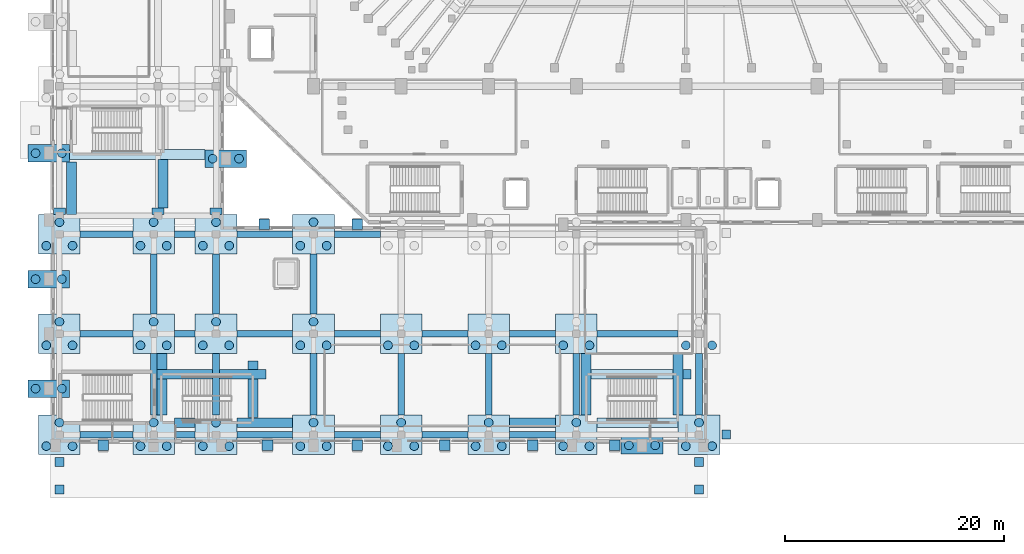
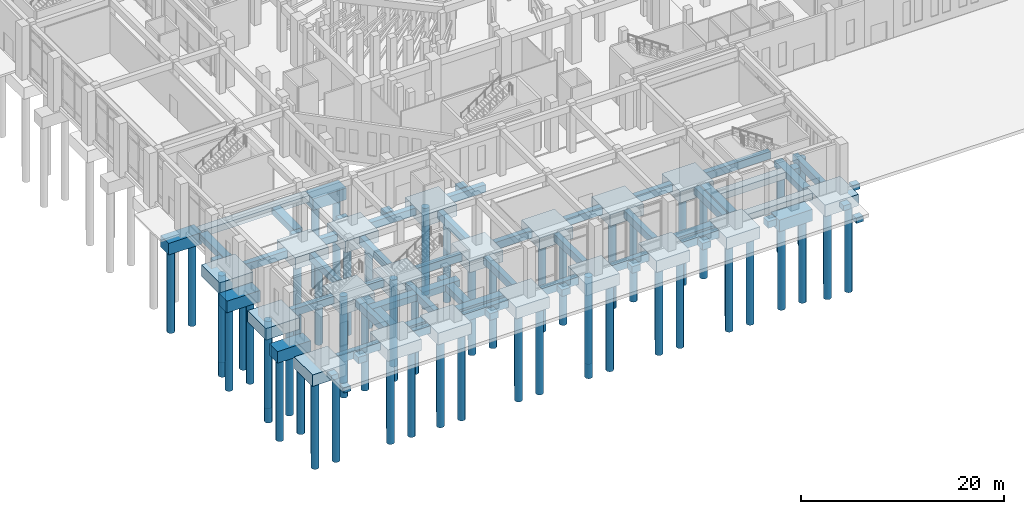
# One storey, part 1 of 143: 84 footings, 66 piles.
"""IFC4 building model written with IfcOpenShell, lengths in metres."""

from ifc_helpers import new_model, si_unit, derived_unit, direction, frame, origin, origin_2d, place, context, subcontext, project, spatial, rectangle, circle, extrude, material, layer, layer_set, material_profile, profile_set, type_object, element, save


model = new_model("IFC4")

# Units and contexts
model_context = context("Model", 3, precision=1e-05, world=origin(), true_north=direction((0.0, 1.0)))
body_context = subcontext(model_context, "Body", "Model", "MODEL_VIEW")
ifc_project = project(units=[si_unit("LENGTHUNIT", "METRE"), si_unit("AREAUNIT", "SQUARE_METRE"), si_unit("VOLUMEUNIT", "CUBIC_METRE"), si_unit("PLANEANGLEUNIT", "RADIAN"), si_unit("MASSUNIT", "GRAM", prefix="KILO"), derived_unit("THERMALTRANSMITTANCEUNIT", [(si_unit("MASSUNIT", "GRAM", prefix="KILO"), 1), (si_unit("TIMEUNIT", "SECOND"), -3), (si_unit("THERMODYNAMICTEMPERATUREUNIT", "KELVIN"), -1)])], contexts=[model_context])

# Site, building, storey
site_placement = place(None, origin())
site = spatial("IfcSite", under=ifc_project, at=site_placement, CompositionType="ELEMENT")
building_placement = place(site_placement, origin())
building = spatial("IfcBuilding", under=site, at=building_placement, Name="Valcora Ridge Arena", CompositionType="ELEMENT")
storey_placement = place(building_placement, origin())
storey = spatial("IfcBuildingStorey", under=building, at=storey_placement, Name="L00", CompositionType="ELEMENT", Elevation=0.0)

# Footings
ifc_material_1 = material(Name="Concrete C40/50", Category="concrete")
ifc_layer_1 = layer(ifc_material_1, 1.39990234375, Name="Concrete C40/50")
ifc_layer_set_1 = layer_set([ifc_layer_1], Name="Concrete C40/50")
footing_type_1 = type_object("IfcFootingType", Name="TY-FOOTING-PC-2P800", PredefinedType="PILE_CAP", material=ifc_layer_set_1)
for number, where, z_axis, x_axis, name in (
    (1, (54.0, -0.179931640625, -1.849853515625), (0.0, 0.0, 1.0), (1.0, 0.0, 0.0), "PC-2P800 FND-PC-0215"),
    (2, (16.0, 26.0, -1.849853515625), (0.0, 0.0, 1.0), (1.0, 0.0, 0.0), "PC-2P800 FND-PC-0216"),
    (3, (-0.179931640625, 5.0, -1.849853515625), (0.0, 0.0, 1.0), (1.0, 0.0, 0.0), "PC-2P800 FND-PC-0249"),
    (4, (-0.179931640625, 15.0, -1.849853515625), (0.0, 0.0, 1.0), (1.0, 0.0, 0.0), "PC-2P800 FND-PC-0250"),
    (5, (-0.179931640625, 26.5, -1.849853515625), (0.0, 0.0, 1.0), (1.0, 0.0, 0.0), "PC-2P800 FND-PC-0251"),
):
    element("IfcFooting", number, at=place(storey_placement, frame(where, z_axis=z_axis, x_axis=x_axis)), inside=storey, type_object=footing_type_1, Name=name, PredefinedType="PILE_CAP", context=body_context, shape_type="SweptSolid", body=[
        extrude(rectangle(XDim=3.800048828125, YDim=1.60009765625, at=origin_2d()), origin(), (0.0, 0.0, 1.0), 1.39990234375),
    ])
ifc_layer_2 = layer(ifc_material_1, 1.39990234375, Name="Concrete C40/50")
ifc_layer_set_2 = layer_set([ifc_layer_2], Name="Concrete C40/50")
footing_type_2 = type_object("IfcFootingType", Name="TY-FOOTING-PC-3P800", PredefinedType="PILE_CAP", material=ifc_layer_set_2)
for number, where, z_axis, x_axis, name in (
    (6, (0.800048828125, 0.800048828125, -1.849853515625), (0.0, 0.0, 1.0), (1.0, 0.0, 0.0), "PC-3P800 FND-PC-0168"),
    (7, (0.800048828125, 10.0, -1.849853515625), (0.0, 0.0, 1.0), (1.0, 0.0, 0.0), "PC-3P800 FND-PC-0169"),
    (8, (0.800048828125, 19.10009765625, -1.849853515625), (0.0, 0.0, 1.0), (1.0, 0.0, 0.0), "PC-3P800 FND-PC-0170"),
    (9, (9.39990234375, 0.800048828125, -1.849853515625), (0.0, 0.0, 1.0), (1.0, 0.0, 0.0), "PC-3P800 FND-PC-0171"),
    (10, (9.39990234375, 10.0, -1.849853515625), (0.0, 0.0, 1.0), (1.0, 0.0, 0.0), "PC-3P800 FND-PC-0172"),
    (11, (9.39990234375, 19.10009765625, -1.849853515625), (0.0, 0.0, 1.0), (1.0, 0.0, 0.0), "PC-3P800 FND-PC-0173"),
    (12, (15.10009765625, 0.800048828125, -1.849853515625), (0.0, 0.0, 1.0), (1.0, 0.0, 0.0), "PC-3P800 FND-PC-0174"),
    (13, (15.10009765625, 10.0, -1.849853515625), (0.0, 0.0, 1.0), (1.0, 0.0, 0.0), "PC-3P800 FND-PC-0175"),
    (14, (15.10009765625, 19.10009765625, -1.849853515625), (0.0, 0.0, 1.0), (1.0, 0.0, 0.0), "PC-3P800 FND-PC-0176"),
    (15, (24.0, 0.800048828125, -1.849853515625), (0.0, 0.0, 1.0), (1.0, 0.0, 0.0), "PC-3P800 FND-PC-0177"),
    (16, (24.0, 10.0, -1.849853515625), (0.0, 0.0, 1.0), (1.0, 0.0, 0.0), "PC-3P800 FND-PC-0178"),
    (17, (24.0, 19.10009765625, -1.849853515625), (0.0, 0.0, 1.0), (1.0, 0.0, 0.0), "PC-3P800 FND-PC-0179"),
    (18, (32.0, 0.800048828125, -1.849853515625), (0.0, 0.0, 1.0), (1.0, 0.0, 0.0), "PC-3P800 FND-PC-0180"),
    (19, (32.0, 10.0, -1.849853515625), (0.0, 0.0, 1.0), (1.0, 0.0, 0.0), "PC-3P800 FND-PC-0181"),
    (20, (40.0, 0.800048828125, -1.849853515625), (0.0, 0.0, 1.0), (1.0, 0.0, 0.0), "PC-3P800 FND-PC-0183"),
    (21, (40.0, 10.0, -1.849853515625), (0.0, 0.0, 1.0), (1.0, 0.0, 0.0), "PC-3P800 FND-PC-0184"),
    (22, (48.0, 0.800048828125, -1.849853515625), (0.0, 0.0, 1.0), (1.0, 0.0, 0.0), "PC-3P800 FND-PC-0186"),
    (23, (48.0, 10.0, -1.849853515625), (0.0, 0.0, 1.0), (1.0, 0.0, 0.0), "PC-3P800 FND-PC-0187"),
    (24, (59.199951171875, 0.800048828125, -1.849853515625), (0.0, 0.0, 1.0), (1.0, 0.0, 0.0), "PC-3P800 FND-PC-0189"),
):
    element("IfcFooting", number, at=place(storey_placement, frame(where, z_axis=z_axis, x_axis=x_axis)), inside=storey, type_object=footing_type_2, Name=name, PredefinedType="PILE_CAP", context=body_context, shape_type="SweptSolid", body=[
        extrude(rectangle(XDim=3.800048828125, YDim=3.60009765625, at=origin_2d()), origin(), (0.0, 0.0, 1.0), 1.39990234375),
    ])
ifc_layer_3 = layer(ifc_material_1, 0.800048828125, Name="Concrete C40/50")
ifc_layer_set_3 = layer_set([ifc_layer_3], Name="Concrete C40/50")
footing_type_3 = type_object("IfcFootingType", Name="TY-FOOTING-PF-096", PredefinedType="PAD_FOOTING", material=ifc_layer_set_3)
for number, where, z_axis, x_axis, name in (
    (25, (19.5, 20.0, -1.25), (0.0, 0.0, 1.0), (1.0, 0.0, 0.0), "PF-096 FND-SF-0001"),
    (26, (28.0, 20.0, -1.25), (0.0, 0.0, 1.0), (1.0, 0.0, 0.0), "PF-096 FND-SF-0002"),
    (27, (4.800048828125, -0.179931640625, -1.25), (0.0, 0.0, 1.0), (1.0, 0.0, 0.0), "PF-096 FND-SF-0004"),
    (28, (19.800048828125, -0.179931640625, -1.25), (0.0, 0.0, 1.0), (1.0, 0.0, 0.0), "PF-096 FND-SF-0005"),
    (29, (28.0, -0.179931640625, -1.25), (0.0, 0.0, 1.0), (1.0, 0.0, 0.0), "PF-096 FND-SF-0006"),
    (30, (36.0, -0.179931640625, -1.25), (0.0, 0.0, 1.0), (1.0, 0.0, 0.0), "PF-096 FND-SF-0007"),
    (31, (44.0, -0.179931640625, -1.25), (0.0, 0.0, 1.0), (1.0, 0.0, 0.0), "PF-096 FND-SF-0008"),
    (32, (51.5, -0.179931640625, -1.25), (0.0, 0.0, 1.0), (1.0, 0.0, 0.0), "PF-096 FND-SF-0009"),
):
    element("IfcFooting", number, at=place(storey_placement, frame(where, z_axis=z_axis, x_axis=x_axis)), inside=storey, type_object=footing_type_3, Name=name, PredefinedType="PAD_FOOTING", context=body_context, shape_type="SweptSolid", body=[
        extrude(rectangle(XDim=0.9599609375, YDim=0.9599609375, at=origin_2d()), origin(), (0.0, 0.0, 1.0), 0.800048828125),
    ])
ifc_material_2 = material(Name="Fire-resisting reinforced concrete enclosure C40/50 200 mm", Category="concrete")
ifc_layer_4 = layer(ifc_material_2, 0.800048828125, Name="Fire-resisting reinforced concrete enclosure C40/50 200 mm")
ifc_layer_set_4 = layer_set([ifc_layer_4], Name="Fire-resisting reinforced concrete enclosure C40/50 200 mm")
footing_type_4 = type_object("IfcFootingType", Name="TY-FOOTING-SF-ES-900", PredefinedType="STRIP_FOOTING", material=ifc_layer_set_4)
footing_1_placement = place(storey_placement, frame((12.25, 1.889892578125, -1.25), z_axis=(0.0, 0.0, 1.0), x_axis=(1.0, 0.0, 0.0)))
element("IfcFooting", 33, at=footing_1_placement, inside=storey, type_object=footing_type_4, Name="SF-ES-900 FND-SF-0050", PredefinedType="STRIP_FOOTING", context=body_context, shape_type="SweptSolid", body=[
    extrude(rectangle(XDim=1.89794921875, YDim=0.89990234375, at=origin_2d()), origin(), (0.0, 0.0, 1.0), 0.800048828125),
])
for number, where, z_axis, x_axis, name in (
    (34, (19.550048828125, 1.889892578125, -1.25), (0.0, 0.0, 1.0), (1.0, 0.0, 0.0), "SF-ES-900 FND-SF-0051"),
    (35, (12.25, 6.31005859375, -1.25), (0.0, 0.0, 1.0), (1.0, 0.0, 0.0), "SF-ES-900 FND-SF-0052"),
):
    element("IfcFooting", number, at=place(storey_placement, frame(where, z_axis=z_axis, x_axis=x_axis)), inside=storey, type_object=footing_type_4, Name=name, PredefinedType="STRIP_FOOTING", context=body_context, shape_type="SweptSolid", body=[
        extrude(rectangle(XDim=5.097900390625, YDim=0.89990234375, at=origin_2d()), origin(), (0.0, 0.0, 1.0), 0.800048828125),
    ])
footing_2_placement = place(storey_placement, frame((17.541015625, 6.31005859375, -1.25), z_axis=(0.0, 0.0, 1.0), x_axis=(1.0, 0.0, 0.0)))
element("IfcFooting", 36, at=footing_2_placement, inside=storey, type_object=footing_type_4, Name="SF-ES-900 FND-SF-0053", PredefinedType="STRIP_FOOTING", context=body_context, shape_type="SweptSolid", body=[
    extrude(rectangle(XDim=4.278076171875, YDim=0.89990234375, at=origin_2d()), origin(), (0.0, 0.0, 1.0), 0.800048828125),
])
footing_3_placement = place(storey_placement, frame((44.0, 1.889892578125, -1.25), z_axis=(0.0, 0.0, 1.0), x_axis=(1.0, 0.0, 0.0)))
element("IfcFooting", 37, at=footing_3_placement, inside=storey, type_object=footing_type_4, Name="SF-ES-900 FND-SF-0060", PredefinedType="STRIP_FOOTING", context=body_context, shape_type="SweptSolid", body=[
    extrude(rectangle(XDim=4.197998046875, YDim=0.89990234375, at=origin_2d()), origin(), (0.0, 0.0, 1.0), 0.800048828125),
])
footing_4_placement = place(storey_placement, frame((53.60009765625, 1.889892578125, -1.25), z_axis=(0.0, 0.0, 1.0), x_axis=(1.0, 0.0, 0.0)))
element("IfcFooting", 38, at=footing_4_placement, inside=storey, type_object=footing_type_4, Name="SF-ES-900 FND-SF-0061", PredefinedType="STRIP_FOOTING", context=body_context, shape_type="SweptSolid", body=[
    extrude(rectangle(XDim=7.39794921875, YDim=0.89990234375, at=origin_2d()), origin(), (0.0, 0.0, 1.0), 0.800048828125),
])
footing_5_placement = place(storey_placement, frame((53.080078125, 6.31005859375, -1.25), z_axis=(0.0, 0.0, 1.0), x_axis=(1.0, 0.0, 0.0)))
element("IfcFooting", 39, at=footing_5_placement, inside=storey, type_object=footing_type_4, Name="SF-ES-900 FND-SF-0062", PredefinedType="STRIP_FOOTING", context=body_context, shape_type="SweptSolid", body=[
    extrude(rectangle(XDim=7.47802734375, YDim=0.89990234375, at=origin_2d()), origin(), (0.0, 0.0, 1.0), 0.800048828125),
])
footing_6_placement = place(storey_placement, frame((58.10107421875, 6.31005859375, -1.25), z_axis=(0.0, 0.0, 1.0), x_axis=(1.0, 0.0, 0.0)))
element("IfcFooting", 40, at=footing_6_placement, inside=storey, type_object=footing_type_4, Name="SF-ES-900 FND-SF-0063", PredefinedType="STRIP_FOOTING", context=body_context, shape_type="SweptSolid", body=[
    extrude(rectangle(XDim=0.758056640625, YDim=0.89990234375, at=origin_2d()), origin(), (0.0, 0.0, 1.0), 0.800048828125),
])
footing_7_placement = place(storey_placement, frame((7.909912109375, 26.389892578125, -1.25), z_axis=(0.0, 0.0, 1.0), x_axis=(1.0, 0.0, 0.0)))
element("IfcFooting", 41, at=footing_7_placement, inside=storey, type_object=footing_type_4, Name="SF-ES-900 FND-SF-0064", PredefinedType="STRIP_FOOTING", context=body_context, shape_type="SweptSolid", body=[
    extrude(rectangle(XDim=12.3779296875, YDim=0.89990234375, at=origin_2d()), origin(), (0.0, 0.0, 1.0), 0.800048828125),
])
ifc_layer_5 = layer(ifc_material_2, 0.800048828125, Name="Fire-resisting reinforced concrete enclosure C40/50 200 mm")
ifc_layer_set_5 = layer_set([ifc_layer_5], Name="Fire-resisting reinforced concrete enclosure C40/50 200 mm")
footing_type_5 = type_object("IfcFootingType", Name="TY-FOOTING-SF-ESW-900", PredefinedType="STRIP_FOOTING", material=ifc_layer_set_5)
footing_8_placement = place(storey_placement, frame((10.152099609375, 4.22998046875, -1.25), z_axis=(0.0, 0.0, 1.0), x_axis=(1.0, 0.0, 0.0)))
element("IfcFooting", 42, at=footing_8_placement, inside=storey, type_object=footing_type_5, Name="SF-ESW-900 FND-SF-0054", PredefinedType="STRIP_FOOTING", context=body_context, shape_type="SweptSolid", body=[
    extrude(rectangle(XDim=0.89990234375, YDim=3.258056640625, at=origin_2d()), origin(), (0.0, 0.0, 1.0), 0.800048828125),
])
footing_9_placement = place(storey_placement, frame((10.152099609375, 7.47998046875, -1.25), z_axis=(0.0, 0.0, 1.0), x_axis=(1.0, 0.0, 0.0)))
element("IfcFooting", 43, at=footing_9_placement, inside=storey, type_object=footing_type_5, Name="SF-ESW-900 FND-SF-0055", PredefinedType="STRIP_FOOTING", context=body_context, shape_type="SweptSolid", body=[
    extrude(rectangle(XDim=0.89990234375, YDim=1.43798828125, at=origin_2d()), origin(), (0.0, 0.0, 1.0), 0.800048828125),
])
footing_10_placement = place(storey_placement, frame((18.469970703125, 4.10009765625, -1.25), z_axis=(0.0, 0.0, 1.0), x_axis=(1.0, 0.0, 0.0)))
element("IfcFooting", 44, at=footing_10_placement, inside=storey, type_object=footing_type_5, Name="SF-ESW-900 FND-SF-0056", PredefinedType="STRIP_FOOTING", context=body_context, shape_type="SweptSolid", body=[
    extrude(rectangle(XDim=0.89990234375, YDim=3.51806640625, at=origin_2d()), origin(), (0.0, 0.0, 1.0), 0.800048828125),
])
footing_11_placement = place(storey_placement, frame((18.469970703125, 7.14111328125, -1.25), z_axis=(0.0, 0.0, 1.0), x_axis=(1.0, 0.0, 0.0)))
element("IfcFooting", 45, at=footing_11_placement, inside=storey, type_object=footing_type_5, Name="SF-ESW-900 FND-SF-0057", PredefinedType="STRIP_FOOTING", context=body_context, shape_type="SweptSolid", body=[
    extrude(rectangle(XDim=0.89990234375, YDim=0.758056640625, at=origin_2d()), origin(), (0.0, 0.0, 1.0), 0.800048828125),
])
for number, where, z_axis, x_axis, name in (
    (46, (48.889892578125, 5.39990234375, -1.25), (0.0, 0.0, 1.0), (1.0, 0.0, 0.0), "SF-ESW-900 FND-SF-0058"),
    (47, (57.27001953125, 5.39990234375, -1.25), (0.0, 0.0, 1.0), (1.0, 0.0, 0.0), "SF-ESW-900 FND-SF-0059"),
):
    element("IfcFooting", number, at=place(storey_placement, frame(where, z_axis=z_axis, x_axis=x_axis)), inside=storey, type_object=footing_type_5, Name=name, PredefinedType="STRIP_FOOTING", context=body_context, shape_type="SweptSolid", body=[
        extrude(rectangle(XDim=0.89990234375, YDim=5.597900390625, at=origin_2d()), origin(), (0.0, 0.0, 1.0), 0.800048828125),
    ])
footing_12_placement = place(storey_placement, frame((1.889892578125, 23.300048828125, -1.25), z_axis=(0.0, 0.0, 1.0), x_axis=(1.0, 0.0, 0.0)))
element("IfcFooting", 48, at=footing_12_placement, inside=storey, type_object=footing_type_5, Name="SF-ESW-900 FND-SF-0067", PredefinedType="STRIP_FOOTING", context=body_context, shape_type="SweptSolid", body=[
    extrude(rectangle(XDim=0.89990234375, YDim=4.798095703125, at=origin_2d()), origin(), (0.0, 0.0, 1.0), 0.800048828125),
])
footing_13_placement = place(storey_placement, frame((10.27001953125, 23.719970703125, -1.25), z_axis=(0.0, 0.0, 1.0), x_axis=(1.0, 0.0, 0.0)))
element("IfcFooting", 49, at=footing_13_placement, inside=storey, type_object=footing_type_5, Name="SF-ESW-900 FND-SF-0070", PredefinedType="STRIP_FOOTING", context=body_context, shape_type="SweptSolid", body=[
    extrude(rectangle(XDim=0.89990234375, YDim=4.43798828125, at=origin_2d()), origin(), (0.0, 0.0, 1.0), 0.800048828125),
])
ifc_layer_6 = layer(ifc_material_1, 0.60009765625, Name="Concrete C40/50")
ifc_layer_set_6 = layer_set([ifc_layer_6], Name="Concrete C40/50")
footing_type_6 = type_object("IfcFootingType", Name="TY-FOOTING-SF-PVG-800", PredefinedType="STRIP_FOOTING", material=ifc_layer_set_6)
for number, where, z_axis, x_axis, name in (
    (50, (61.699951171875, 0.800048828125, -1.0), (0.0, 0.0, 1.0), (1.0, 0.0, 0.0), "SF-PVG-800 FND-PV-0005"),
    (51, (0.800048828125, -4.199951171875, -1.0), (0.0, 0.0, 1.0), (1.0, 0.0, 0.0), "SF-PVG-800 FND-PV-0016"),
    (52, (59.199951171875, -4.199951171875, -1.0), (0.0, 0.0, 1.0), (1.0, 0.0, 0.0), "SF-PVG-800 FND-PV-0017"),
    (53, (59.199951171875, -1.699951171875, -1.0), (0.0, 0.0, 1.0), (1.0, 0.0, 0.0), "SF-PVG-800 FND-PV-0018"),
    (54, (0.800048828125, -1.699951171875, -1.0), (0.0, 0.0, 1.0), (1.0, 0.0, 0.0), "SF-PVG-800 FND-PV-0019"),
):
    element("IfcFooting", number, at=place(storey_placement, frame(where, z_axis=z_axis, x_axis=x_axis)), inside=storey, type_object=footing_type_6, Name=name, PredefinedType="STRIP_FOOTING", context=body_context, shape_type="SweptSolid", body=[
        extrude(rectangle(XDim=0.800048828125, YDim=0.800048828125, at=origin_2d()), origin(), (0.0, 0.0, 1.0), 0.60009765625),
    ])
ifc_layer_7 = layer(ifc_material_1, 0.800048828125, Name="Concrete C40/50")
ifc_layer_set_7 = layer_set([ifc_layer_7], Name="Concrete C40/50")
footing_type_7 = type_object("IfcFootingType", Name="TY-FOOTING-SF-STRAP-900", PredefinedType="STRIP_FOOTING", material=ifc_layer_set_7)
for number, where, z_axis, x_axis, name in (
    (55, (0.800048828125, 21.200927734375, -1.25), (0.0, 0.0, 1.0), (1.0, 0.0, 0.0), "SF-STRAP-900 FND-SF-0037"),
    (56, (9.800048828125, 21.200927734375, -1.25), (0.0, 0.0, 1.0), (1.0, 0.0, 0.0), "SF-STRAP-900 FND-SF-0038"),
    (57, (15.10009765625, 21.200927734375, -1.25), (0.0, 0.0, 1.0), (1.0, 0.0, 0.0), "SF-STRAP-900 FND-SF-0039"),
):
    element("IfcFooting", number, at=place(storey_placement, frame(where, z_axis=z_axis, x_axis=x_axis)), inside=storey, type_object=footing_type_7, Name=name, PredefinedType="STRIP_FOOTING", context=body_context, shape_type="SweptSolid", body=[
        extrude(rectangle(XDim=1.10009765625, YDim=0.597900390625, at=origin_2d()), origin(), (0.0, 0.0, 1.0), 0.800048828125),
    ])
ifc_layer_8 = layer(ifc_material_1, 0.89990234375, Name="Concrete C40/50")
ifc_layer_set_8 = layer_set([ifc_layer_8], Name="Concrete C40/50")
footing_type_8 = type_object("IfcFootingType", Name="TY-FOOTING-TBX-019", PredefinedType="FOOTING_BEAM", material=ifc_layer_set_8)
for number, where, z_axis, x_axis, name in (
    (58, (12.25, 0.800048828125, -1.349853515625), (0.0, 0.0, 1.0), (1.0, 0.0, 0.0), "TBX-019 FND-TB-0203"),
    (59, (12.25, 10.0, -1.349853515625), (0.0, 0.0, 1.0), (1.0, 0.0, 0.0), "TBX-019 FND-TB-0212"),
    (60, (12.25, 19.10009765625, -1.349853515625), (0.0, 0.0, 1.0), (1.0, 0.0, 0.0), "TBX-019 FND-TB-0222"),
):
    element("IfcFooting", number, at=place(storey_placement, frame(where, z_axis=z_axis, x_axis=x_axis)), inside=storey, type_object=footing_type_8, Name=name, PredefinedType="FOOTING_BEAM", context=body_context, shape_type="SweptSolid", body=[
        extrude(rectangle(XDim=1.89794921875, YDim=0.60009765625, at=origin_2d()), origin(), (0.0, 0.0, 1.0), 0.89990234375),
    ])
ifc_layer_9 = layer(ifc_material_1, 0.89990234375, Name="Concrete C40/50")
ifc_layer_set_9 = layer_set([ifc_layer_9], Name="Concrete C40/50")
footing_type_9 = type_object("IfcFootingType", Name="TY-FOOTING-TBX-042", PredefinedType="FOOTING_BEAM", material=ifc_layer_set_9)
for number, where, z_axis, x_axis, name in (
    (61, (28.0, 0.800048828125, -1.349853515625), (0.0, 0.0, 1.0), (1.0, 0.0, 0.0), "TBX-042 FND-TB-0205"),
    (62, (36.0, 0.800048828125, -1.349853515625), (0.0, 0.0, 1.0), (1.0, 0.0, 0.0), "TBX-042 FND-TB-0206"),
    (63, (44.0, 0.800048828125, -1.349853515625), (0.0, 0.0, 1.0), (1.0, 0.0, 0.0), "TBX-042 FND-TB-0207"),
    (64, (28.0, 10.0, -1.349853515625), (0.0, 0.0, 1.0), (1.0, 0.0, 0.0), "TBX-042 FND-TB-0214"),
    (65, (36.0, 10.0, -1.349853515625), (0.0, 0.0, 1.0), (1.0, 0.0, 0.0), "TBX-042 FND-TB-0215"),
    (66, (44.0, 10.0, -1.349853515625), (0.0, 0.0, 1.0), (1.0, 0.0, 0.0), "TBX-042 FND-TB-0216"),
    (67, (28.0, 19.10009765625, -1.349853515625), (0.0, 0.0, 1.0), (1.0, 0.0, 0.0), "TBX-042 FND-TB-0224"),
):
    element("IfcFooting", number, at=place(storey_placement, frame(where, z_axis=z_axis, x_axis=x_axis)), inside=storey, type_object=footing_type_9, Name=name, PredefinedType="FOOTING_BEAM", context=body_context, shape_type="SweptSolid", body=[
        extrude(rectangle(XDim=4.197998046875, YDim=0.60009765625, at=origin_2d()), origin(), (0.0, 0.0, 1.0), 0.89990234375),
    ])
ifc_layer_10 = layer(ifc_material_1, 0.89990234375, Name="Concrete C40/50")
ifc_layer_set_10 = layer_set([ifc_layer_10], Name="Concrete C40/50")
footing_type_10 = type_object("IfcFootingType", Name="TY-FOOTING-TBX-048", PredefinedType="FOOTING_BEAM", material=ifc_layer_set_10)
for number, where, z_axis, x_axis, name in (
    (68, (5.10009765625, 0.800048828125, -1.349853515625), (0.0, 0.0, 1.0), (1.0, 0.0, 0.0), "TBX-048 FND-TB-0202"),
    (69, (5.10009765625, 10.0, -1.349853515625), (0.0, 0.0, 1.0), (1.0, 0.0, 0.0), "TBX-048 FND-TB-0211"),
    (70, (5.10009765625, 19.10009765625, -1.349853515625), (0.0, 0.0, 1.0), (1.0, 0.0, 0.0), "TBX-048 FND-TB-0221"),
):
    element("IfcFooting", number, at=place(storey_placement, frame(where, z_axis=z_axis, x_axis=x_axis)), inside=storey, type_object=footing_type_10, Name=name, PredefinedType="FOOTING_BEAM", context=body_context, shape_type="SweptSolid", body=[
        extrude(rectangle(XDim=4.798095703125, YDim=0.60009765625, at=origin_2d()), origin(), (0.0, 0.0, 1.0), 0.89990234375),
    ])
ifc_layer_11 = layer(ifc_material_1, 0.89990234375, Name="Concrete C40/50")
ifc_layer_set_11 = layer_set([ifc_layer_11], Name="Concrete C40/50")
footing_type_11 = type_object("IfcFootingType", Name="TY-FOOTING-TBX-051", PredefinedType="FOOTING_BEAM", material=ifc_layer_set_11)
for number, where, z_axis, x_axis, name in (
    (71, (19.550048828125, 0.800048828125, -1.349853515625), (0.0, 0.0, 1.0), (1.0, 0.0, 0.0), "TBX-051 FND-TB-0204"),
    (72, (19.550048828125, 10.0, -1.349853515625), (0.0, 0.0, 1.0), (1.0, 0.0, 0.0), "TBX-051 FND-TB-0213"),
    (73, (19.550048828125, 19.10009765625, -1.349853515625), (0.0, 0.0, 1.0), (1.0, 0.0, 0.0), "TBX-051 FND-TB-0223"),
):
    element("IfcFooting", number, at=place(storey_placement, frame(where, z_axis=z_axis, x_axis=x_axis)), inside=storey, type_object=footing_type_11, Name=name, PredefinedType="FOOTING_BEAM", context=body_context, shape_type="SweptSolid", body=[
        extrude(rectangle(XDim=5.097900390625, YDim=0.60009765625, at=origin_2d()), origin(), (0.0, 0.0, 1.0), 0.89990234375),
    ])
ifc_layer_12 = layer(ifc_material_1, 0.89990234375, Name="Concrete C40/50")
ifc_layer_set_12 = layer_set([ifc_layer_12], Name="Concrete C40/50")
footing_type_12 = type_object("IfcFootingType", Name="TY-FOOTING-TBX-074", PredefinedType="FOOTING_BEAM", material=ifc_layer_set_12)
footing_14_placement = place(storey_placement, frame((53.60009765625, 10.0, -1.349853515625), z_axis=(0.0, 0.0, 1.0), x_axis=(1.0, 0.0, 0.0)))
element("IfcFooting", 74, at=footing_14_placement, inside=storey, type_object=footing_type_12, Name="TBX-074 FND-TB-0217", PredefinedType="FOOTING_BEAM", context=body_context, shape_type="SweptSolid", body=[
    extrude(rectangle(XDim=7.39794921875, YDim=0.60009765625, at=origin_2d()), origin(), (0.0, 0.0, 1.0), 0.89990234375),
])
ifc_layer_13 = layer(ifc_material_1, 0.89990234375, Name="Concrete C40/50")
ifc_layer_set_13 = layer_set([ifc_layer_13], Name="Concrete C40/50")
footing_type_13 = type_object("IfcFootingType", Name="TY-FOOTING-TBY-055", PredefinedType="FOOTING_BEAM", material=ifc_layer_set_13)
for number, where, z_axis, x_axis, name in (
    (75, (9.39990234375, 14.550048828125, -1.349853515625), (0.0, 0.0, 1.0), (1.0, 0.0, 0.0), "TBY-055 FND-TB-0275"),
    (76, (15.10009765625, 14.550048828125, -1.349853515625), (0.0, 0.0, 1.0), (1.0, 0.0, 0.0), "TBY-055 FND-TB-0277"),
    (77, (24.0, 14.550048828125, -1.349853515625), (0.0, 0.0, 1.0), (1.0, 0.0, 0.0), "TBY-055 FND-TB-0283"),
):
    element("IfcFooting", number, at=place(storey_placement, frame(where, z_axis=z_axis, x_axis=x_axis)), inside=storey, type_object=footing_type_13, Name=name, PredefinedType="FOOTING_BEAM", context=body_context, shape_type="SweptSolid", body=[
        extrude(rectangle(XDim=0.60009765625, YDim=5.498046875, at=origin_2d()), origin(), (0.0, 0.0, 1.0), 0.89990234375),
    ])
ifc_layer_14 = layer(ifc_material_1, 0.89990234375, Name="Concrete C40/50")
ifc_layer_set_14 = layer_set([ifc_layer_14], Name="Concrete C40/50")
footing_type_14 = type_object("IfcFootingType", Name="TY-FOOTING-TBY-056", PredefinedType="FOOTING_BEAM", material=ifc_layer_set_14)
for number, where, z_axis, x_axis, name in (
    (78, (9.39990234375, 5.39990234375, -1.349853515625), (0.0, 0.0, 1.0), (1.0, 0.0, 0.0), "TBY-056 FND-TB-0274"),
    (79, (15.10009765625, 5.39990234375, -1.349853515625), (0.0, 0.0, 1.0), (1.0, 0.0, 0.0), "TBY-056 FND-TB-0276"),
    (80, (24.0, 5.39990234375, -1.349853515625), (0.0, 0.0, 1.0), (1.0, 0.0, 0.0), "TBY-056 FND-TB-0282"),
    (81, (32.0, 5.39990234375, -1.349853515625), (0.0, 0.0, 1.0), (1.0, 0.0, 0.0), "TBY-056 FND-TB-0284"),
    (82, (40.0, 5.39990234375, -1.349853515625), (0.0, 0.0, 1.0), (1.0, 0.0, 0.0), "TBY-056 FND-TB-0286"),
    (83, (48.0, 5.39990234375, -1.349853515625), (0.0, 0.0, 1.0), (1.0, 0.0, 0.0), "TBY-056 FND-TB-0288"),
    (84, (59.199951171875, 5.39990234375, -1.349853515625), (0.0, 0.0, 1.0), (1.0, 0.0, 0.0), "TBY-056 FND-TB-0290"),
):
    element("IfcFooting", number, at=place(storey_placement, frame(where, z_axis=z_axis, x_axis=x_axis)), inside=storey, type_object=footing_type_14, Name=name, PredefinedType="FOOTING_BEAM", context=body_context, shape_type="SweptSolid", body=[
        extrude(rectangle(XDim=0.60009765625, YDim=5.597900390625, at=origin_2d()), origin(), (0.0, 0.0, 1.0), 0.89990234375),
    ])

# Piles
ifc_material_3 = material(Name="Concrete C35/45", Category="concrete")
ifc_material_profile_1 = material_profile(ifc_material_3, circle(Radius=0.39990234375, at=origin_2d()), Name="BORED PILE D800")
ifc_profile_set_1 = profile_set([ifc_material_profile_1], Name="Concrete C35/45")
pile_type_1 = type_object("IfcPileType", Name="TY-PILE-P-800A", PredefinedType="BORED", material=ifc_profile_set_1)
for number, where, z_axis, x_axis, name in (
    (85, (-0.39990234375, -0.25, -1.75), (0.0, 0.0, -1.0), (1.0, 0.0, 0.0), "P-800A FND-PL-P-800A-0106"),
    (86, (2.0, -0.25, -1.75), (0.0, 0.0, -1.0), (1.0, 0.0, 0.0), "P-800A FND-PL-P-800A-0107"),
    (87, (0.800048828125, 1.89990234375, -1.75), (0.0, 0.0, -1.0), (1.0, 0.0, 0.0), "P-800A FND-PL-P-800A-0108"),
    (88, (-0.39990234375, 8.949951171875, -1.75), (0.0, 0.0, -1.0), (1.0, 0.0, 0.0), "P-800A FND-PL-P-800A-0109"),
    (89, (2.0, 8.949951171875, -1.75), (0.0, 0.0, -1.0), (1.0, 0.0, 0.0), "P-800A FND-PL-P-800A-0110"),
    (90, (0.800048828125, 11.10009765625, -1.75), (0.0, 0.0, -1.0), (1.0, 0.0, 0.0), "P-800A FND-PL-P-800A-0111"),
    (91, (-0.39990234375, 18.050048828125, -1.75), (0.0, 0.0, -1.0), (1.0, 0.0, 0.0), "P-800A FND-PL-P-800A-0112"),
    (92, (2.0, 18.050048828125, -1.75), (0.0, 0.0, -1.0), (1.0, 0.0, 0.0), "P-800A FND-PL-P-800A-0113"),
    (93, (0.800048828125, 20.199951171875, -1.75), (0.0, 0.0, -1.0), (1.0, 0.0, 0.0), "P-800A FND-PL-P-800A-0114"),
    (94, (8.199951171875, -0.25, -1.75), (0.0, 0.0, -1.0), (1.0, 0.0, 0.0), "P-800A FND-PL-P-800A-0115"),
    (95, (10.60009765625, -0.25, -1.75), (0.0, 0.0, -1.0), (1.0, 0.0, 0.0), "P-800A FND-PL-P-800A-0116"),
    (96, (9.39990234375, 1.89990234375, -1.75), (0.0, 0.0, -1.0), (1.0, 0.0, 0.0), "P-800A FND-PL-P-800A-0117"),
    (97, (8.199951171875, 8.949951171875, -1.75), (0.0, 0.0, -1.0), (1.0, 0.0, 0.0), "P-800A FND-PL-P-800A-0118"),
    (98, (10.60009765625, 8.949951171875, -1.75), (0.0, 0.0, -1.0), (1.0, 0.0, 0.0), "P-800A FND-PL-P-800A-0119"),
    (99, (9.39990234375, 11.10009765625, -1.75), (0.0, 0.0, -1.0), (1.0, 0.0, 0.0), "P-800A FND-PL-P-800A-0120"),
    (100, (8.199951171875, 18.050048828125, -1.75), (0.0, 0.0, -1.0), (1.0, 0.0, 0.0), "P-800A FND-PL-P-800A-0121"),
    (101, (10.60009765625, 18.050048828125, -1.75), (0.0, 0.0, -1.0), (1.0, 0.0, 0.0), "P-800A FND-PL-P-800A-0122"),
    (102, (9.39990234375, 20.199951171875, -1.75), (0.0, 0.0, -1.0), (1.0, 0.0, 0.0), "P-800A FND-PL-P-800A-0123"),
    (103, (13.89990234375, -0.25, -1.75), (0.0, 0.0, -1.0), (1.0, 0.0, 0.0), "P-800A FND-PL-P-800A-0124"),
    (104, (16.300048828125, -0.25, -1.75), (0.0, 0.0, -1.0), (1.0, 0.0, 0.0), "P-800A FND-PL-P-800A-0125"),
    (105, (15.10009765625, 1.89990234375, -1.75), (0.0, 0.0, -1.0), (1.0, 0.0, 0.0), "P-800A FND-PL-P-800A-0126"),
    (106, (13.89990234375, 8.949951171875, -1.75), (0.0, 0.0, -1.0), (1.0, 0.0, 0.0), "P-800A FND-PL-P-800A-0127"),
    (107, (16.300048828125, 8.949951171875, -1.75), (0.0, 0.0, -1.0), (1.0, 0.0, 0.0), "P-800A FND-PL-P-800A-0128"),
    (108, (15.10009765625, 11.10009765625, -1.75), (0.0, 0.0, -1.0), (1.0, 0.0, 0.0), "P-800A FND-PL-P-800A-0129"),
    (109, (13.89990234375, 18.050048828125, -1.75), (0.0, 0.0, -1.0), (1.0, 0.0, 0.0), "P-800A FND-PL-P-800A-0130"),
    (110, (16.300048828125, 18.050048828125, -1.75), (0.0, 0.0, -1.0), (1.0, 0.0, 0.0), "P-800A FND-PL-P-800A-0131"),
    (111, (15.10009765625, 20.199951171875, -1.75), (0.0, 0.0, -1.0), (1.0, 0.0, 0.0), "P-800A FND-PL-P-800A-0132"),
    (112, (22.800048828125, -0.25, -1.75), (0.0, 0.0, -1.0), (1.0, 0.0, 0.0), "P-800A FND-PL-P-800A-0133"),
    (113, (25.199951171875, -0.25, -1.75), (0.0, 0.0, -1.0), (1.0, 0.0, 0.0), "P-800A FND-PL-P-800A-0134"),
    (114, (24.0, 1.89990234375, -1.75), (0.0, 0.0, -1.0), (1.0, 0.0, 0.0), "P-800A FND-PL-P-800A-0135"),
    (115, (22.800048828125, 8.949951171875, -1.75), (0.0, 0.0, -1.0), (1.0, 0.0, 0.0), "P-800A FND-PL-P-800A-0136"),
    (116, (25.199951171875, 8.949951171875, -1.75), (0.0, 0.0, -1.0), (1.0, 0.0, 0.0), "P-800A FND-PL-P-800A-0137"),
    (117, (24.0, 11.10009765625, -1.75), (0.0, 0.0, -1.0), (1.0, 0.0, 0.0), "P-800A FND-PL-P-800A-0138"),
    (118, (22.800048828125, 18.050048828125, -1.75), (0.0, 0.0, -1.0), (1.0, 0.0, 0.0), "P-800A FND-PL-P-800A-0139"),
    (119, (25.199951171875, 18.050048828125, -1.75), (0.0, 0.0, -1.0), (1.0, 0.0, 0.0), "P-800A FND-PL-P-800A-0140"),
    (120, (24.0, 20.199951171875, -1.75), (0.0, 0.0, -1.0), (1.0, 0.0, 0.0), "P-800A FND-PL-P-800A-0141"),
    (121, (30.800048828125, -0.25, -1.75), (0.0, 0.0, -1.0), (1.0, 0.0, 0.0), "P-800A FND-PL-P-800A-0142"),
    (122, (33.199951171875, -0.25, -1.75), (0.0, 0.0, -1.0), (1.0, 0.0, 0.0), "P-800A FND-PL-P-800A-0143"),
    (123, (32.0, 1.89990234375, -1.75), (0.0, 0.0, -1.0), (1.0, 0.0, 0.0), "P-800A FND-PL-P-800A-0144"),
    (124, (30.800048828125, 8.949951171875, -1.75), (0.0, 0.0, -1.0), (1.0, 0.0, 0.0), "P-800A FND-PL-P-800A-0145"),
    (125, (33.199951171875, 8.949951171875, -1.75), (0.0, 0.0, -1.0), (1.0, 0.0, 0.0), "P-800A FND-PL-P-800A-0146"),
    (126, (38.800048828125, -0.25, -1.75), (0.0, 0.0, -1.0), (1.0, 0.0, 0.0), "P-800A FND-PL-P-800A-0151"),
    (127, (41.199951171875, -0.25, -1.75), (0.0, 0.0, -1.0), (1.0, 0.0, 0.0), "P-800A FND-PL-P-800A-0152"),
    (128, (40.0, 1.89990234375, -1.75), (0.0, 0.0, -1.0), (1.0, 0.0, 0.0), "P-800A FND-PL-P-800A-0153"),
    (129, (38.800048828125, 8.949951171875, -1.75), (0.0, 0.0, -1.0), (1.0, 0.0, 0.0), "P-800A FND-PL-P-800A-0154"),
    (130, (41.199951171875, 8.949951171875, -1.75), (0.0, 0.0, -1.0), (1.0, 0.0, 0.0), "P-800A FND-PL-P-800A-0155"),
    (131, (46.800048828125, -0.25, -1.75), (0.0, 0.0, -1.0), (1.0, 0.0, 0.0), "P-800A FND-PL-P-800A-0160"),
    (132, (49.199951171875, -0.25, -1.75), (0.0, 0.0, -1.0), (1.0, 0.0, 0.0), "P-800A FND-PL-P-800A-0161"),
    (133, (48.0, 1.89990234375, -1.75), (0.0, 0.0, -1.0), (1.0, 0.0, 0.0), "P-800A FND-PL-P-800A-0162"),
    (134, (46.800048828125, 8.949951171875, -1.75), (0.0, 0.0, -1.0), (1.0, 0.0, 0.0), "P-800A FND-PL-P-800A-0163"),
    (135, (49.199951171875, 8.949951171875, -1.75), (0.0, 0.0, -1.0), (1.0, 0.0, 0.0), "P-800A FND-PL-P-800A-0164"),
    (136, (58.0, -0.25, -1.75), (0.0, 0.0, -1.0), (1.0, 0.0, 0.0), "P-800A FND-PL-P-800A-0169"),
    (137, (60.39990234375, -0.25, -1.75), (0.0, 0.0, -1.0), (1.0, 0.0, 0.0), "P-800A FND-PL-P-800A-0170"),
    (138, (59.199951171875, 1.89990234375, -1.75), (0.0, 0.0, -1.0), (1.0, 0.0, 0.0), "P-800A FND-PL-P-800A-0171"),
    (139, (58.0, 8.949951171875, -1.75), (0.0, 0.0, -1.0), (1.0, 0.0, 0.0), "P-800A FND-PL-P-800A-0172"),
    (140, (60.39990234375, 8.949951171875, -1.75), (0.0, 0.0, -1.0), (1.0, 0.0, 0.0), "P-800A FND-PL-P-800A-0173"),
):
    element("IfcPile", number, at=place(storey_placement, frame(where, z_axis=z_axis, x_axis=x_axis)), inside=storey, type_object=pile_type_1, Name=name, PredefinedType="BORED", context=body_context, shape_type="SweptSolid", body=[
        extrude(circle(Radius=0.39990234375, at=origin_2d()), origin(), (0.0, 0.0, 1.0), 10.5),
    ])
ifc_material_profile_2 = material_profile(ifc_material_3, circle(Radius=0.39990234375, at=origin_2d()), Name="BORED PILE D800")
ifc_profile_set_2 = profile_set([ifc_material_profile_2], Name="Concrete C35/45")
pile_type_2 = type_object("IfcPileType", Name="TY-PILE-P-800B", PredefinedType="BORED", material=ifc_profile_set_2)
for number, where, z_axis, x_axis, name in (
    (141, (52.800048828125, -0.179931640625, -1.75), (0.0, 0.0, -1.0), (1.0, 0.0, 0.0), "P-800B FND-PL-P-800B-0037"),
    (142, (55.199951171875, -0.179931640625, -1.75), (0.0, 0.0, -1.0), (1.0, 0.0, 0.0), "P-800B FND-PL-P-800B-0038"),
    (143, (14.800048828125, 26.0, -1.75), (0.0, 0.0, -1.0), (1.0, 0.0, 0.0), "P-800B FND-PL-P-800B-0039"),
    (144, (17.199951171875, 26.0, -1.75), (0.0, 0.0, -1.0), (1.0, 0.0, 0.0), "P-800B FND-PL-P-800B-0040"),
    (145, (-1.3798828125, 5.0, -1.75), (0.0, 0.0, -1.0), (1.0, 0.0, 0.0), "P-800B FND-PL-P-800B-0105"),
    (146, (1.02001953125, 5.0, -1.75), (0.0, 0.0, -1.0), (1.0, 0.0, 0.0), "P-800B FND-PL-P-800B-0106"),
    (147, (-1.3798828125, 15.0, -1.75), (0.0, 0.0, -1.0), (1.0, 0.0, 0.0), "P-800B FND-PL-P-800B-0107"),
    (148, (1.02001953125, 15.0, -1.75), (0.0, 0.0, -1.0), (1.0, 0.0, 0.0), "P-800B FND-PL-P-800B-0108"),
    (149, (-1.3798828125, 26.5, -1.75), (0.0, 0.0, -1.0), (1.0, 0.0, 0.0), "P-800B FND-PL-P-800B-0109"),
    (150, (1.02001953125, 26.5, -1.75), (0.0, 0.0, -1.0), (1.0, 0.0, 0.0), "P-800B FND-PL-P-800B-0110"),
):
    element("IfcPile", number, at=place(storey_placement, frame(where, z_axis=z_axis, x_axis=x_axis)), inside=storey, type_object=pile_type_2, Name=name, PredefinedType="BORED", context=body_context, shape_type="SweptSolid", body=[
        extrude(circle(Radius=0.39990234375, at=origin_2d()), origin(), (0.0, 0.0, 1.0), 10.0),
    ])

save(model, "model.ifc")
